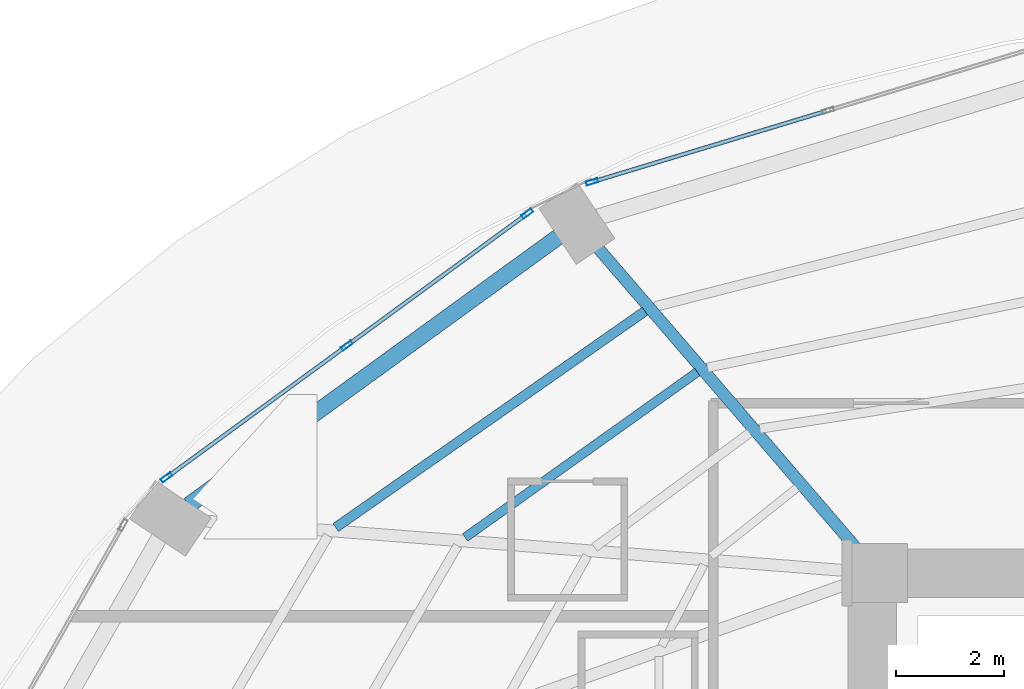
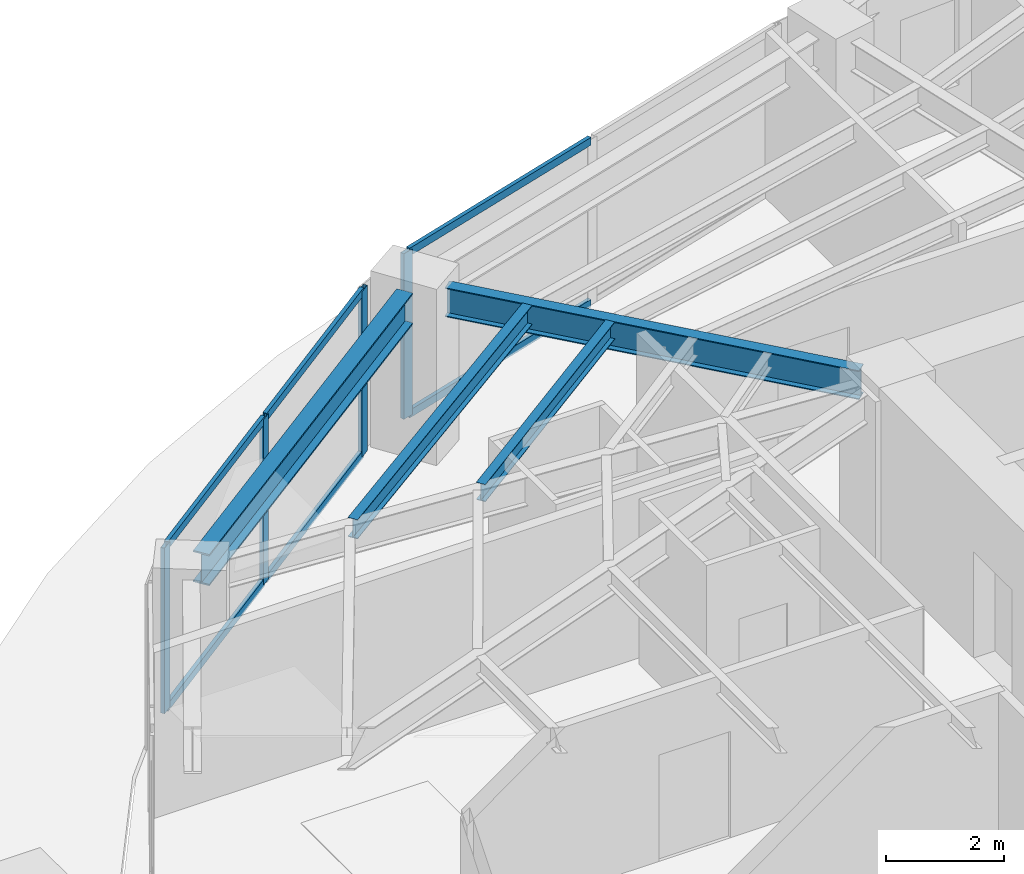
# One storey, part 13 of 25: 10 members, 4 beams, 2 elements without a shape of their own.
"""IFC4 building model written with IfcOpenShell, lengths in metres."""

from ifc_helpers import new_model, si_unit, direction, frame, origin, origin_2d, place, context, subcontext, project, spatial, hollow_rectangle, i_section, extrude, material, layer, layer_set, material_profile, profile_set, type_object, element, aggregate, save


model = new_model("IFC4")

# Units and contexts
model_context = context("Model", 3, precision=1e-05, world=origin(), true_north=direction((0.0, 1.0)))
body_context = subcontext(model_context, "Body", "Model", "MODEL_VIEW")
ifc_project = project(units=[si_unit("LENGTHUNIT", "METRE"), si_unit("AREAUNIT", "SQUARE_METRE"), si_unit("VOLUMEUNIT", "CUBIC_METRE"), si_unit("PLANEANGLEUNIT", "RADIAN"), si_unit("MASSUNIT", "GRAM", prefix="KILO")], contexts=[model_context])

# Site, building, storey
site_placement = place(None, origin())
site = spatial("IfcSite", under=ifc_project, at=site_placement, CompositionType="ELEMENT")
building_placement = place(site_placement, origin())
building = spatial("IfcBuilding", under=site, at=building_placement, Name="Lazwardi Medical Tower", CompositionType="ELEMENT")
storey_placement = place(building_placement, frame((0.0, 0.0, 25.199951171875)))
storey = spatial("IfcBuildingStorey", under=building, at=storey_placement, Name="L05", CompositionType="ELEMENT", Elevation=25.199951171875)

# Beams
ifc_material_1 = material(Name="Steel S355", Category="steel")
ifc_material_profile_1 = material_profile(ifc_material_1, i_section(OverallWidth=0.300048828125, OverallDepth=0.64990234375, WebThickness=0.01611328125, FlangeThickness=0.031005859375, at=origin_2d()), Name="HEB 650")
ifc_profile_set_1 = profile_set([ifc_material_profile_1], Name="Steel S355")
beam_type_1 = type_object("IfcBeamType", Name="BM-RB-Z1", PredefinedType="BEAM", material=ifc_profile_set_1)
beam_1_placement = place(storey_placement, frame((20.47900390625, 41.83740234375, 3.10302734375), z_axis=(-0.80939338516, -0.5872668457, 0.0), x_axis=(0.5872668457, -0.80939338516, 0.0)))
element("IfcBeam", 1, at=beam_1_placement, inside=storey, type_object=beam_type_1, Name="Ring beam RB-02 B10 L05", PredefinedType="BEAM", context=body_context, shape_type="SweptSolid", body=[
    extrude(i_section(OverallWidth=0.300048828125, OverallDepth=0.64990234375, WebThickness=0.01611328125, FlangeThickness=0.031005859375, at=origin_2d()), origin(), (0.0, 0.0, 1.0), 8.47412109375),
])
ifc_material_profile_2 = material_profile(ifc_material_1, i_section(OverallWidth=0.219970703125, OverallDepth=0.60009765625, WebThickness=0.011962890625, FlangeThickness=0.01904296875, at=origin_2d()), Name="IPE 600")
ifc_profile_set_2 = profile_set([ifc_material_profile_2], Name="Steel S355")
beam_type_2 = type_object("IfcBeamType", Name="BM-RG-W1", PredefinedType="BEAM", material=ifc_profile_set_2)
beam_2_placement = place(storey_placement, frame((21.197509765625, 41.644287109375, 3.1279296875), z_axis=(0.652368190463, -0.757902199543, 0.0), x_axis=(0.757902199543, 0.652368190463, 0.0)))
element("IfcBeam", 2, at=beam_2_placement, inside=storey, type_object=beam_type_2, Name="Radial girder RG-02 R10 L05", PredefinedType="BEAM", context=body_context, shape_type="SweptSolid", body=[
    extrude(i_section(OverallWidth=0.219970703125, OverallDepth=0.60009765625, WebThickness=0.011962890625, FlangeThickness=0.01904296875, at=origin_2d()), origin(), (0.0, 0.0, 1.0), 7.43994140625),
])
ifc_material_profile_3 = material_profile(ifc_material_1, i_section(OverallWidth=0.179931640625, OverallDepth=0.39990234375, WebThickness=0.008544921875, FlangeThickness=0.013427734375, at=origin_2d()), Name="IPE 400")
ifc_profile_set_3 = profile_set([ifc_material_profile_3], Name="Steel S355")
beam_type_3 = type_object("IfcBeamType", Name="BM-SJ-01", PredefinedType="JOIST", material=ifc_profile_set_3)
beam_3_placement = place(storey_placement, frame((22.08203125, 40.456298828125, 3.22802734375), z_axis=(-0.81942522483, -0.573186096231, 0.0), x_axis=(0.573186096231, -0.81942522483, 0.0)))
element("IfcBeam", 3, at=beam_3_placement, inside=storey, type_object=beam_type_3, Name="Secondary joist SJ-01 R1 B10 L05", PredefinedType="JOIST", context=body_context, shape_type="SweptSolid", body=[
    extrude(i_section(OverallWidth=0.179931640625, OverallDepth=0.39990234375, WebThickness=0.008544921875, FlangeThickness=0.013427734375, at=origin_2d()), origin(), (0.0, 0.0, 1.0), 6.999755859375),
])
ifc_material_profile_4 = material_profile(ifc_material_1, i_section(OverallWidth=0.169921875, OverallDepth=0.360107421875, WebThickness=0.008056640625, FlangeThickness=0.0126953125, at=origin_2d()), Name="IPE 360")
ifc_profile_set_4 = profile_set([ifc_material_profile_4], Name="Steel S355")
beam_type_4 = type_object("IfcBeamType", Name="BM-SJ-02", PredefinedType="JOIST", material=ifc_profile_set_4)
beam_4_placement = place(storey_placement, frame((23.05322265625, 39.327880859375, 3.248046875), z_axis=(-0.814341377136, -0.580386183058, 0.0), x_axis=(0.580386183058, -0.814341377136, 0.0)))
element("IfcBeam", 4, at=beam_4_placement, inside=storey, type_object=beam_type_4, Name="Secondary joist SJ-02 R2 B10 L05", PredefinedType="JOIST", context=body_context, shape_type="SweptSolid", body=[
    extrude(i_section(OverallWidth=0.169921875, OverallDepth=0.360107421875, WebThickness=0.008056640625, FlangeThickness=0.0126953125, at=origin_2d()), origin(), (0.0, 0.0, 1.0), 5.28759765625),
])

# Curtain wall, member
ifc_material_2 = material(Name="Anodised bronze aluminium and solar control glazing", Category="aluminium")
ifc_layer = layer(ifc_material_2, 0.199951171875)
ifc_layer_set = layer_set([ifc_layer], Name="Anodised bronze aluminium and solar control glazing")
curtain_wall_type = type_object("IfcCurtainWallType", Name="CW-SYS-02", PredefinedType="NOTDEFINED", material=ifc_layer_set)
curtain_wall_1_placement = place(storey_placement, origin())
curtain_wall_1 = element("IfcCurtainWall", 5, at=curtain_wall_1_placement, inside=storey, type_object=curtain_wall_type, Name="L05 Unitised bronze curtain wall CW-02", PredefinedType="NOTDEFINED")
ifc_material_3 = material(Name="Anodised bronze aluminium", Category="aluminium")
ifc_material_profile_5 = material_profile(ifc_material_3, hollow_rectangle(XDim=0.074951171875, YDim=0.219970703125, WallThickness=0.00390625, at=origin_2d()), Name="ALU-MULLION 220x75x4")
ifc_profile_set_5 = profile_set([ifc_material_profile_5], Name="Anodised bronze aluminium")
member_type_1 = type_object("IfcMemberType", Name="CW-MUL-01", PredefinedType="MULLION", material=ifc_profile_set_5)
member_1_placement = place(storey_placement, frame((21.1015625, 42.853271484375, 0.0), z_axis=(0.0, 0.0, 1.0), x_axis=(0.2898956909, -0.957058247129, 0.0)))
member_1 = element("IfcMember", 6, at=member_1_placement, type_object=member_type_1, Name="CW-02 mullion 3", PredefinedType="MULLION", context=body_context, shape_type="SweptSolid", body=[
    extrude(hollow_rectangle(XDim=0.074951171875, YDim=0.219970703125, WallThickness=0.00390625, at=origin_2d()), origin(), (0.0, 0.0, 1.0), 3.427978515625),
])

# Curtain wall, members
curtain_wall_2_placement = place(storey_placement, origin())
curtain_wall_2 = element("IfcCurtainWall", 7, at=curtain_wall_2_placement, inside=storey, type_object=curtain_wall_type, Name="L05 Unitised bronze curtain wall CW-02", PredefinedType="NOTDEFINED")
member_2_placement = place(storey_placement, frame((19.9013671875, 42.26611328125, 0.0), z_axis=(0.0, 0.0, 1.0), x_axis=(0.590289307341, -0.807191757663, 0.0)))
member_2 = element("IfcMember", 8, at=member_2_placement, type_object=member_type_1, Name="CW-02 mullion 1", PredefinedType="MULLION", context=body_context, shape_type="SweptSolid", body=[
    extrude(hollow_rectangle(XDim=0.074951171875, YDim=0.219970703125, WallThickness=0.00390625, at=origin_2d()), origin(), (0.0, 0.0, 1.0), 3.427978515625),
])
member_3_placement = place(storey_placement, frame((16.5556640625, 39.8193359375, 0.0), z_axis=(0.0, 0.0, 1.0), x_axis=(0.590289307341, -0.807191757663, 0.0)))
member_3 = element("IfcMember", 9, at=member_3_placement, type_object=member_type_1, Name="CW-02 mullion 2", PredefinedType="MULLION", context=body_context, shape_type="SweptSolid", body=[
    extrude(hollow_rectangle(XDim=0.074951171875, YDim=0.219970703125, WallThickness=0.00390625, at=origin_2d()), origin(), (0.0, 0.0, 1.0), 3.427978515625),
])
member_4_placement = place(storey_placement, frame((13.209716796875, 37.37255859375, 0.0), z_axis=(0.0, 0.0, 1.0), x_axis=(0.590289307341, -0.807191757663, 0.0)))
member_4 = element("IfcMember", 10, at=member_4_placement, type_object=member_type_1, Name="CW-02 mullion 3", PredefinedType="MULLION", context=body_context, shape_type="SweptSolid", body=[
    extrude(hollow_rectangle(XDim=0.074951171875, YDim=0.219970703125, WallThickness=0.00390625, at=origin_2d()), origin(), (0.0, 0.0, 1.0), 3.427978515625),
])

# Member
ifc_material_profile_6 = material_profile(ifc_material_3, hollow_rectangle(XDim=0.074951171875, YDim=0.159912109375, WallThickness=0.00390625, at=origin_2d()), Name="ALU-TRANSOM 160x75x4")
ifc_profile_set_6 = profile_set([ifc_material_profile_6], Name="Anodised bronze aluminium")
member_type_2 = type_object("IfcMemberType", Name="CW-TRN-01", PredefinedType="USERDEFINED", material=ifc_profile_set_6)
member_5_placement = place(storey_placement, frame((25.44091796875, 44.16748046875, 0.03759765625), z_axis=(-0.957062297904, -0.289882317383, 0.0), x_axis=(0.289882317383, -0.957062297904, 0.0)))
member_5 = element("IfcMember", 11, at=member_5_placement, type_object=member_type_2, Name="CW-02 transom 2.1", ObjectType="TRANSOM", PredefinedType="USERDEFINED", context=body_context, shape_type="SweptSolid", body=[
    extrude(hollow_rectangle(XDim=0.074951171875, YDim=0.159912109375, WallThickness=0.00390625, at=origin_2d()), origin(), (0.0, 0.0, 1.0), 4.49658203125),
])

member_6_placement = place(storey_placement, frame((25.44091796875, 44.16748046875, 3.390625), z_axis=(-0.957062297904, -0.289882317383, 0.0), x_axis=(0.289882317383, -0.957062297904, 0.0)))
member_6 = element("IfcMember", 12, at=member_6_placement, type_object=member_type_2, Name="CW-02 transom 2.2", ObjectType="TRANSOM", PredefinedType="USERDEFINED", context=body_context, shape_type="SweptSolid", body=[
    extrude(hollow_rectangle(XDim=0.074951171875, YDim=0.159912109375, WallThickness=0.00390625, at=origin_2d()), origin(), (0.0, 0.0, 1.0), 4.49658203125),
])

aggregate(curtain_wall_1, [member_1, member_5, member_6])

member_7_placement = place(storey_placement, frame((19.87109375, 42.243896484375, 0.03759765625), z_axis=(-0.807197636578, -0.590281268128, 0.0), x_axis=(0.590281268128, -0.807197636578, 0.0)))
member_7 = element("IfcMember", 13, at=member_7_placement, type_object=member_type_2, Name="CW-02 transom 1.1", ObjectType="TRANSOM", PredefinedType="USERDEFINED", context=body_context, shape_type="SweptSolid", body=[
    extrude(hollow_rectangle(XDim=0.074951171875, YDim=0.159912109375, WallThickness=0.00390625, at=origin_2d()), origin(), (0.0, 0.0, 1.0), 4.06982421875),
])

member_8_placement = place(storey_placement, frame((19.87109375, 42.243896484375, 3.390625), z_axis=(-0.807197636578, -0.590281268128, 0.0), x_axis=(0.590281268128, -0.807197636578, 0.0)))
member_8 = element("IfcMember", 14, at=member_8_placement, type_object=member_type_2, Name="CW-02 transom 1.2", ObjectType="TRANSOM", PredefinedType="USERDEFINED", context=body_context, shape_type="SweptSolid", body=[
    extrude(hollow_rectangle(XDim=0.074951171875, YDim=0.159912109375, WallThickness=0.00390625, at=origin_2d()), origin(), (0.0, 0.0, 1.0), 4.06982421875),
])

member_9_placement = place(storey_placement, frame((16.525390625, 39.797119140625, 0.03759765625), z_axis=(-0.807218536774, -0.590252686472, 0.0), x_axis=(0.590252686472, -0.807218536774, 0.0)))
member_9 = element("IfcMember", 15, at=member_9_placement, type_object=member_type_2, Name="CW-02 transom 2.1", ObjectType="TRANSOM", PredefinedType="USERDEFINED", context=body_context, shape_type="SweptSolid", body=[
    extrude(hollow_rectangle(XDim=0.074951171875, YDim=0.159912109375, WallThickness=0.00390625, at=origin_2d()), origin(), (0.0, 0.0, 1.0), 4.070068359375),
])

member_10_placement = place(storey_placement, frame((16.525390625, 39.797119140625, 3.390625), z_axis=(-0.807218536774, -0.590252686472, 0.0), x_axis=(0.590252686472, -0.807218536774, 0.0)))
member_10 = element("IfcMember", 16, at=member_10_placement, type_object=member_type_2, Name="CW-02 transom 2.2", ObjectType="TRANSOM", PredefinedType="USERDEFINED", context=body_context, shape_type="SweptSolid", body=[
    extrude(hollow_rectangle(XDim=0.074951171875, YDim=0.159912109375, WallThickness=0.00390625, at=origin_2d()), origin(), (0.0, 0.0, 1.0), 4.070068359375),
])

aggregate(curtain_wall_2, [member_2, member_3, member_4, member_7, member_8, member_9, member_10])

save(model, "model.ifc")
